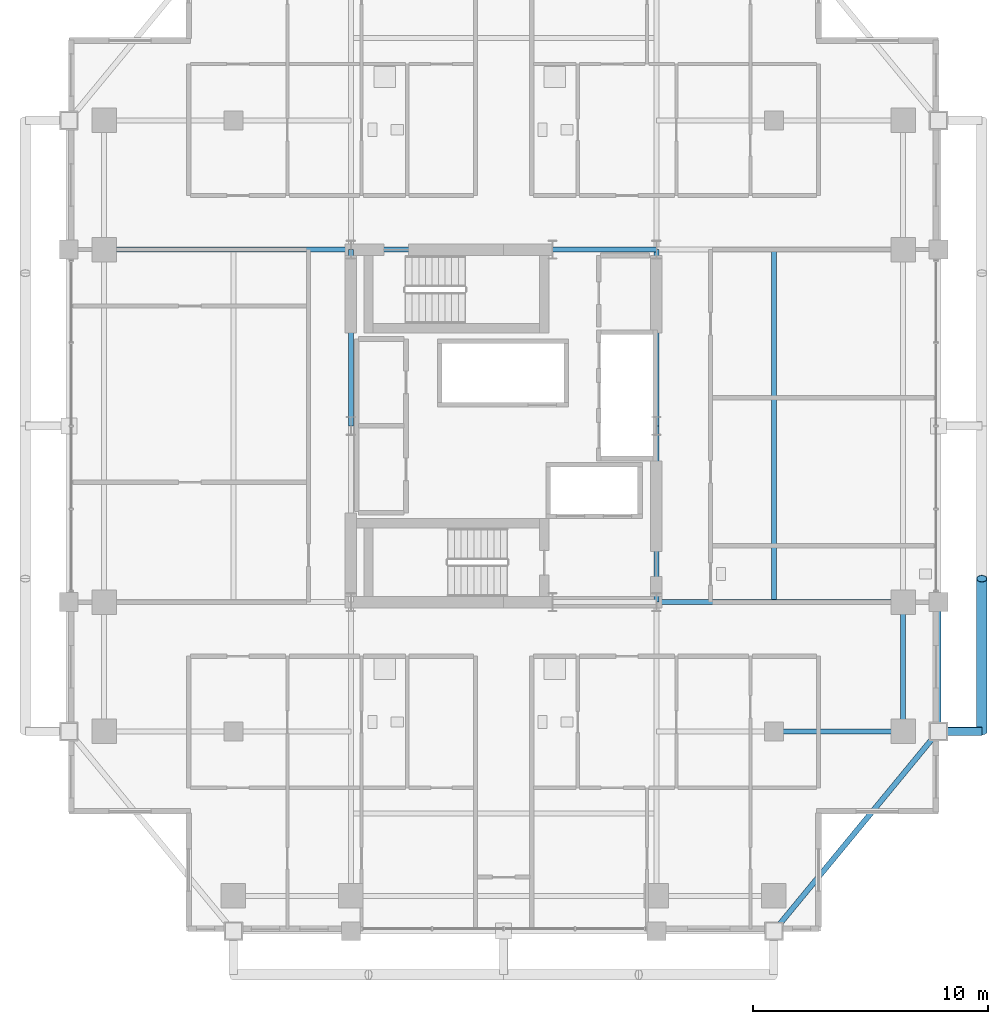
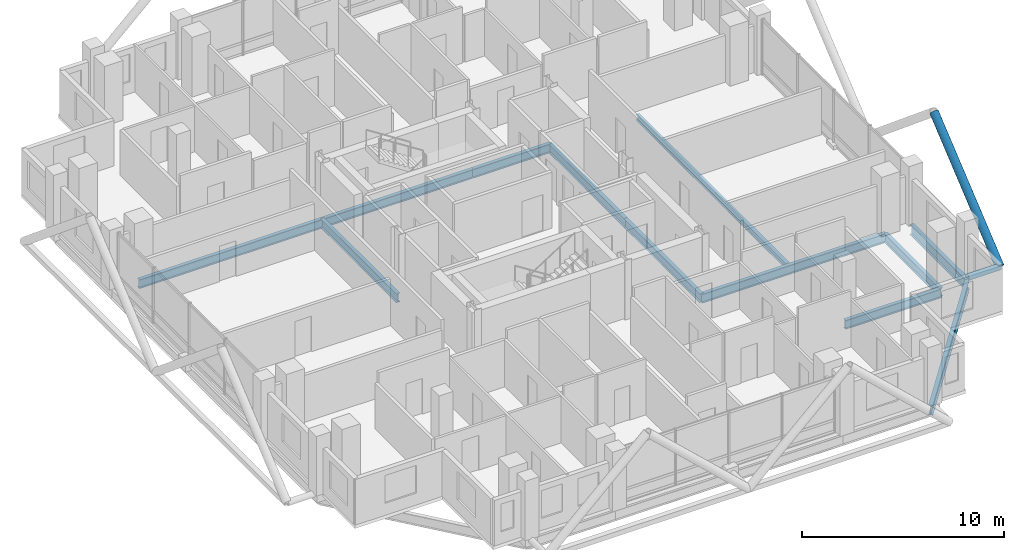
# One storey, part 10 of 26: 12 beams, 2 members.
"""IFC4 building model written with IfcOpenShell, lengths in metres."""

from ifc_helpers import new_model, si_unit, direction, frame, origin, origin_2d, place, context, subcontext, project, spatial, hollow_circle, i_section, extrude, material, material_profile, profile_set, type_object, element, save


model = new_model("IFC4")

# Units and contexts
model_context = context("Model", 3, precision=1e-05, world=origin(), true_north=direction((0.0, 1.0)))
body_context = subcontext(model_context, "Body", "Model", "MODEL_VIEW")
ifc_project = project(units=[si_unit("LENGTHUNIT", "METRE"), si_unit("AREAUNIT", "SQUARE_METRE"), si_unit("VOLUMEUNIT", "CUBIC_METRE"), si_unit("PLANEANGLEUNIT", "RADIAN"), si_unit("MASSUNIT", "GRAM", prefix="KILO")], contexts=[model_context])

# Site, building, storey
site_placement = place(None, origin())
site = spatial("IfcSite", under=ifc_project, at=site_placement, CompositionType="ELEMENT")
building_placement = place(site_placement, origin())
building = spatial("IfcBuilding", under=site, at=building_placement, Name="Barlavira Tower and Art Museum", CompositionType="ELEMENT")
storey_placement = place(building_placement, frame((0.0, 0.0, 198.0)))
storey = spatial("IfcBuildingStorey", under=building, at=storey_placement, Name="L51", CompositionType="ELEMENT", Elevation=198.0)

# Members
ifc_material = material(Name="Steel S355", Category="steel")
ifc_material_profile_1 = material_profile(ifc_material, hollow_circle(Radius=0.228515625, WallThickness=0.02001953125, at=origin_2d()), Name="CHS 457.0x20.0")
ifc_profile_set_1 = profile_set([ifc_material_profile_1], Name="Steel S355")
member_type_1 = type_object("IfcMemberType", Name="Pale-Metal Exoskeleton Diagrid Tube CHS 457x20 Steel S355", PredefinedType="BRACE", material=ifc_profile_set_1)
member_1_placement = place(storey_placement, frame((20.35009765625, -13.0, -0.1201171875), z_axis=(0.0, 0.76918185268, 0.639029950399), x_axis=(-1.0, 0.0, 0.0)))
element("IfcMember", 1, at=member_1_placement, inside=storey, type_object=member_type_1, Name="L51 Exoskeleton Diagrid Tube E", PredefinedType="BRACE", context=body_context, shape_type="SweptSolid", body=[
    extrude(hollow_circle(Radius=0.228515625, WallThickness=0.02001953125, at=origin_2d()), origin(), (0.0, 0.0, 1.0), 8.450439453125),
])
ifc_material_profile_2 = material_profile(ifc_material, hollow_circle(Radius=0.177734375, WallThickness=0.01611328125, at=origin_2d()), Name="CHS 355.6x16.0")
ifc_profile_set_2 = profile_set([ifc_material_profile_2], Name="Steel S355")
member_type_2 = type_object("IfcMemberType", Name="Pale-Metal Exoskeleton Tie Strut CHS 356x16 Steel S355", PredefinedType="STRUT", material=ifc_profile_set_2)
member_2_placement = place(storey_placement, frame((20.35009765625, -13.0, -0.1201171875), z_axis=(-1.0, 0.0, 0.0), x_axis=(0.0, -1.0, 0.0)))
element("IfcMember", 2, at=member_2_placement, inside=storey, type_object=member_type_2, Name="L51 Exoskeleton Tie Strut E1", PredefinedType="STRUT", context=body_context, shape_type="SweptSolid", body=[
    extrude(hollow_circle(Radius=0.177734375, WallThickness=0.01611328125, at=origin_2d()), origin(), (0.0, 0.0, 1.0), 1.85009765625),
])

# Beams
ifc_material_profile_3 = material_profile(ifc_material, i_section(OverallWidth=0.22998046875, OverallDepth=0.616943359375, WebThickness=0.01318359375, FlangeThickness=0.022216796875, at=origin_2d()), Name="W610x140.0")
ifc_profile_set_3 = profile_set([ifc_material_profile_3], Name="Steel S355")
beam_type_1 = type_object("IfcBeamType", Name="Upper Shaft Spandrel Edge Beam W610x140 Steel S355", PredefinedType="SPANDREL", material=ifc_profile_set_3)
beam_1_placement = place(storey_placement, frame((11.5, -21.5, -0.528564453125), z_axis=(0.635707252861, 0.771930235617, 0.0), x_axis=(-0.771930235617, 0.635707252861, 0.0)))
element("IfcBeam", 3, at=beam_1_placement, inside=storey, type_object=beam_type_1, Name="L51 Spandrel 4", PredefinedType="SPANDREL", context=body_context, shape_type="SweptSolid", body=[
    extrude(i_section(OverallWidth=0.22998046875, OverallDepth=0.616943359375, WebThickness=0.01318359375, FlangeThickness=0.022216796875, at=origin_2d()), origin(), (0.0, 0.0, 1.0), 11.011474609375),
])
beam_2_placement = place(storey_placement, frame((18.5, -13.0, -0.528564453125), z_axis=(0.0, 1.0, 0.0), x_axis=(-1.0, 0.0, 0.0)))
element("IfcBeam", 4, at=beam_2_placement, inside=storey, type_object=beam_type_1, Name="L51 Spandrel 5", PredefinedType="SPANDREL", context=body_context, shape_type="SweptSolid", body=[
    extrude(i_section(OverallWidth=0.22998046875, OverallDepth=0.616943359375, WebThickness=0.01318359375, FlangeThickness=0.022216796875, at=origin_2d()), origin(), (0.0, 0.0, 1.0), 5.5),
])
ifc_material_profile_4 = material_profile(ifc_material, i_section(OverallWidth=0.205078125, OverallDepth=0.35400390625, WebThickness=0.009521484375, FlangeThickness=0.016845703125, at=origin_2d()), Name="W360x79.0")
ifc_profile_set_4 = profile_set([ifc_material_profile_4], Name="Steel S355")
beam_type_2 = type_object("IfcBeamType", Name="Zone 3 Composite Floor Joist W360x79 Steel S355", PredefinedType="JOIST", material=ifc_profile_set_4)
beam_3_placement = place(storey_placement, frame((11.5, -7.5, -0.39697265625), z_axis=(0.0, 1.0, 0.0), x_axis=(-1.0, 0.0, 0.0)))
element("IfcBeam", 5, at=beam_3_placement, inside=storey, type_object=beam_type_2, Name="L51 Joist W2", PredefinedType="JOIST", context=body_context, shape_type="SweptSolid", body=[
    extrude(i_section(OverallWidth=0.205078125, OverallDepth=0.35400390625, WebThickness=0.009521484375, FlangeThickness=0.016845703125, at=origin_2d()), origin(), (0.0, 0.0, 1.0), 15.0),
])
ifc_material_profile_5 = material_profile(ifc_material, i_section(OverallWidth=0.2109375, OverallDepth=0.5390625, WebThickness=0.01171875, FlangeThickness=0.018798828125, at=origin_2d()), Name="W530x109.0")
ifc_profile_set_5 = profile_set([ifc_material_profile_5], Name="Steel S355")
beam_type_3 = type_object("IfcBeamType", Name="Zone 3-4 Primary Floor Girder W530x109 Steel S355", PredefinedType="BEAM", material=ifc_profile_set_5)
beam_4_placement = place(storey_placement, frame((-6.5, 7.5, -0.489501953125), z_axis=(1.0, 0.0, 0.0), x_axis=(0.0, 1.0, 0.0)))
element("IfcBeam", 6, at=beam_4_placement, inside=storey, type_object=beam_type_3, Name="L51 Girder C-N1", PredefinedType="BEAM", context=body_context, shape_type="SweptSolid", body=[
    extrude(i_section(OverallWidth=0.2109375, OverallDepth=0.5390625, WebThickness=0.01171875, FlangeThickness=0.018798828125, at=origin_2d()), origin(), (0.0, 0.0, 1.0), 8.580078125),
])
beam_5_placement = place(storey_placement, frame((2.080078125, 7.5, -0.489501953125), z_axis=(1.0, 0.0, 0.0), x_axis=(0.0, 1.0, 0.0)))
element("IfcBeam", 7, at=beam_5_placement, inside=storey, type_object=beam_type_3, Name="L51 Girder C-N2", PredefinedType="BEAM", context=body_context, shape_type="SweptSolid", body=[
    extrude(i_section(OverallWidth=0.2109375, OverallDepth=0.5390625, WebThickness=0.01171875, FlangeThickness=0.018798828125, at=origin_2d()), origin(), (0.0, 0.0, 1.0), 4.419921875),
])
for number, where, z_axis, x_axis, name in (
    (8, (-6.5, 0.0, -0.489501953125), (0.0, 1.0, 0.0), (-1.0, 0.0, 0.0), "L51 Girder C-W2"),
    (9, (6.5, -7.5, -0.489501953125), (0.0, 1.0, 0.0), (-1.0, 0.0, 0.0), "L51 Girder C-E1"),
    (10, (6.5, 0.0, -0.489501953125), (0.0, 1.0, 0.0), (-1.0, 0.0, 0.0), "L51 Girder C-E2"),
):
    element("IfcBeam", number, at=place(storey_placement, frame(where, z_axis=z_axis, x_axis=x_axis)), inside=storey, type_object=beam_type_3, Name=name, PredefinedType="BEAM", context=body_context, shape_type="SweptSolid", body=[
        extrude(i_section(OverallWidth=0.2109375, OverallDepth=0.5390625, WebThickness=0.01171875, FlangeThickness=0.018798828125, at=origin_2d()), origin(), (0.0, 0.0, 1.0), 7.5),
    ])
beam_6_placement = place(storey_placement, frame((17.0, -13.0, -0.489501953125), z_axis=(0.0, 1.0, 0.0), x_axis=(-1.0, 0.0, 0.0)))
element("IfcBeam", 11, at=beam_6_placement, inside=storey, type_object=beam_type_3, Name="L51 Girder M-E1", PredefinedType="BEAM", context=body_context, shape_type="SweptSolid", body=[
    extrude(i_section(OverallWidth=0.2109375, OverallDepth=0.5390625, WebThickness=0.01171875, FlangeThickness=0.018798828125, at=origin_2d()), origin(), (0.0, 0.0, 1.0), 5.5),
])
for number, where, z_axis, x_axis, name in (
    (12, (-17.0, 7.5, -0.489501953125), (1.0, 0.0, 0.0), (0.0, 1.0, 0.0), "L51 Girder R-W2"),
    (13, (6.5, -7.5, -0.489501953125), (1.0, 0.0, 0.0), (0.0, 1.0, 0.0), "L51 Girder R-E1"),
):
    element("IfcBeam", number, at=place(storey_placement, frame(where, z_axis=z_axis, x_axis=x_axis)), inside=storey, type_object=beam_type_3, Name=name, PredefinedType="BEAM", context=body_context, shape_type="SweptSolid", body=[
        extrude(i_section(OverallWidth=0.2109375, OverallDepth=0.5390625, WebThickness=0.01171875, FlangeThickness=0.018798828125, at=origin_2d()), origin(), (0.0, 0.0, 1.0), 10.5),
    ])
beam_7_placement = place(storey_placement, frame((11.5, -13.0, -0.489501953125), z_axis=(1.0, 0.0, 0.0), x_axis=(0.0, 1.0, 0.0)))
element("IfcBeam", 14, at=beam_7_placement, inside=storey, type_object=beam_type_3, Name="L51 Girder I-S4", PredefinedType="BEAM", context=body_context, shape_type="SweptSolid", body=[
    extrude(i_section(OverallWidth=0.2109375, OverallDepth=0.5390625, WebThickness=0.01171875, FlangeThickness=0.018798828125, at=origin_2d()), origin(), (0.0, 0.0, 1.0), 5.5),
])

save(model, "model.ifc")
